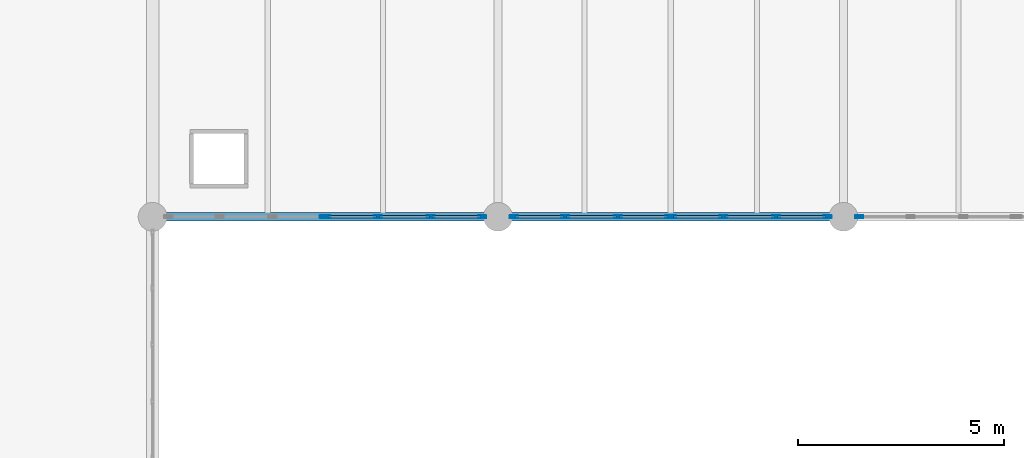
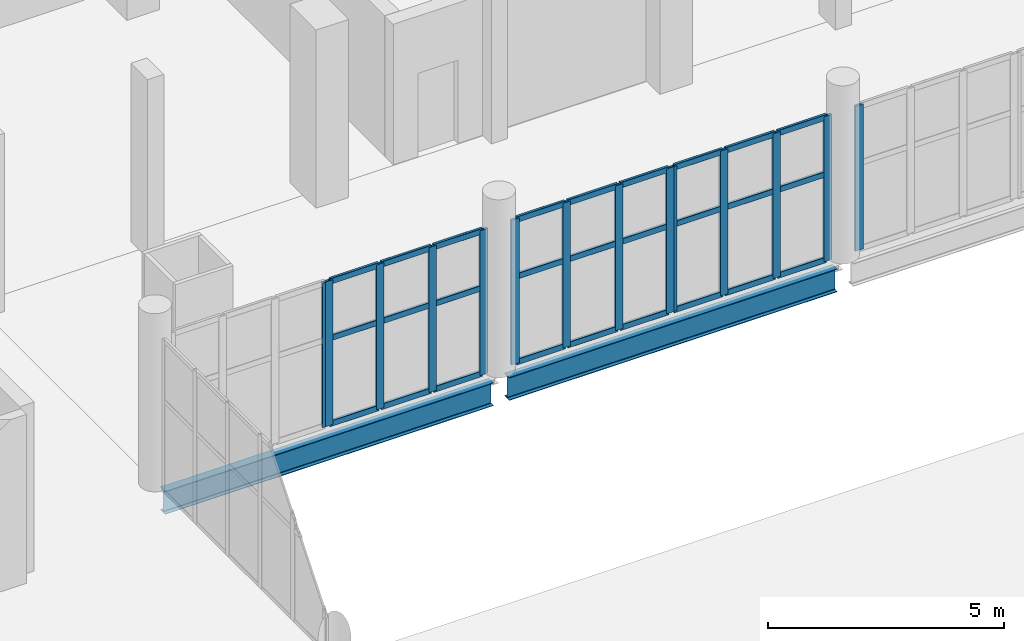
# One storey, part 44 of 136: 41 members, 2 beams, 5 elements without a shape of their own.
"""IFC4 building model written with IfcOpenShell, lengths in metres."""

from ifc_helpers import new_model, si_unit, direction, frame, origin, origin_2d, place, context, subcontext, project, spatial, hollow_rectangle, i_section, extrude, material, material_profile, profile_set, type_object, element, aggregate, save


model = new_model("IFC4")

# Units and contexts
model_context = context("Model", 3, precision=1e-05, world=origin(), true_north=direction((0.0, 1.0)))
body_context = subcontext(model_context, "Body", "Model", "MODEL_VIEW")
ifc_project = project(units=[si_unit("LENGTHUNIT", "METRE"), si_unit("AREAUNIT", "SQUARE_METRE"), si_unit("VOLUMEUNIT", "CUBIC_METRE"), si_unit("PLANEANGLEUNIT", "RADIAN"), si_unit("MASSUNIT", "GRAM", prefix="KILO")], contexts=[model_context])

# Site, building, storey
site_placement = place(None, origin())
site = spatial("IfcSite", under=ifc_project, at=site_placement, CompositionType="ELEMENT")
building_placement = place(site_placement, origin())
building = spatial("IfcBuilding", under=site, at=building_placement, Name="Shengluoqiao Park Theatre", CompositionType="ELEMENT")
storey_placement = place(building_placement, frame((0.0, 0.0, 10.0)))
storey = spatial("IfcBuildingStorey", under=building, at=storey_placement, Name="L02", CompositionType="ELEMENT", Elevation=10.0)

# Curtain wall, member
ifc_material_1 = material(Name="Aluminium 6063-T6", Category="aluminium")
curtain_wall_type = type_object("IfcCurtainWallType", Name="ENV-CW-PROM", PredefinedType="NOTDEFINED", material=ifc_material_1)
curtain_wall_1_placement = place(storey_placement, origin())
curtain_wall_1 = element("IfcCurtainWall", 1, at=curtain_wall_1_placement, inside=storey, type_object=curtain_wall_type, Name="L02 Curtain Wall CW-L02-0066", PredefinedType="NOTDEFINED")
ifc_material_profile_1 = material_profile(ifc_material_1, hollow_rectangle(XDim=0.06494140625, YDim=0.199951171875, WallThickness=0.0048828125, InnerFilletRadius=0.0048828125, OuterFilletRadius=0.010009765625, at=origin_2d()), Name="ALU MULLION 200x65x5")
ifc_profile_set_1 = profile_set([ifc_material_profile_1], Name="Aluminium 6063-T6")
member_type_1 = type_object("IfcMemberType", Name="ENV-MUL-200", PredefinedType="MULLION", material=ifc_profile_set_1)
member_1_placement = place(storey_placement, frame((48.5673828125, 68.39990234375, 0.0), z_axis=(0.0, 0.0, 1.0), x_axis=(0.0, 1.0, 0.0)))
member_1 = element("IfcMember", 2, at=member_1_placement, type_object=member_type_1, Name="CW-04 mullion 4", PredefinedType="MULLION", context=body_context, shape_type="SweptSolid", body=[
    extrude(hollow_rectangle(XDim=0.06494140625, YDim=0.199951171875, WallThickness=0.0048828125, InnerFilletRadius=0.0048828125, OuterFilletRadius=0.010009765625, at=origin_2d()), origin(), (0.0, 0.0, 1.0), 3.741943359375),
])
aggregate(curtain_wall_1, [member_1])

# Curtain wall, members
curtain_wall_2_placement = place(storey_placement, origin())
curtain_wall_2 = element("IfcCurtainWall", 3, at=curtain_wall_2_placement, inside=storey, type_object=curtain_wall_type, Name="L02 Curtain Wall CW-L02-0067", PredefinedType="NOTDEFINED")
member_2_placement = place(storey_placement, frame((48.632568359375, 68.39990234375, 0.0), z_axis=(0.0, 0.0, 1.0), x_axis=(0.0, 1.0, 0.0)))
member_2 = element("IfcMember", 4, at=member_2_placement, type_object=member_type_1, Name="CW-04 mullion 1", PredefinedType="MULLION", context=body_context, shape_type="SweptSolid", body=[
    extrude(hollow_rectangle(XDim=0.06494140625, YDim=0.199951171875, WallThickness=0.0048828125, InnerFilletRadius=0.0048828125, OuterFilletRadius=0.010009765625, at=origin_2d()), origin(), (0.0, 0.0, 1.0), 3.741943359375),
])
member_3_placement = place(storey_placement, frame((49.882080078125, 68.39990234375, 0.0), z_axis=(0.0, 0.0, 1.0), x_axis=(0.0, 1.0, 0.0)))
member_3 = element("IfcMember", 5, at=member_3_placement, type_object=member_type_1, Name="CW-04 mullion 2", PredefinedType="MULLION", context=body_context, shape_type="SweptSolid", body=[
    extrude(hollow_rectangle(XDim=0.06494140625, YDim=0.199951171875, WallThickness=0.0048828125, InnerFilletRadius=0.0048828125, OuterFilletRadius=0.010009765625, at=origin_2d()), origin(), (0.0, 0.0, 1.0), 3.741943359375),
])
member_4_placement = place(storey_placement, frame((51.1640625, 68.39990234375, 0.0), z_axis=(0.0, 0.0, 1.0), x_axis=(0.0, 1.0, 0.0)))
member_4 = element("IfcMember", 6, at=member_4_placement, type_object=member_type_1, Name="CW-04 mullion 3", PredefinedType="MULLION", context=body_context, shape_type="SweptSolid", body=[
    extrude(hollow_rectangle(XDim=0.06494140625, YDim=0.199951171875, WallThickness=0.0048828125, InnerFilletRadius=0.0048828125, OuterFilletRadius=0.010009765625, at=origin_2d()), origin(), (0.0, 0.0, 1.0), 3.741943359375),
])
member_5_placement = place(storey_placement, frame((52.41357421875, 68.39990234375, 0.0), z_axis=(0.0, 0.0, 1.0), x_axis=(0.0, 1.0, 0.0)))
member_5 = element("IfcMember", 7, at=member_5_placement, type_object=member_type_1, Name="CW-04 mullion 4", PredefinedType="MULLION", context=body_context, shape_type="SweptSolid", body=[
    extrude(hollow_rectangle(XDim=0.06494140625, YDim=0.199951171875, WallThickness=0.0048828125, InnerFilletRadius=0.0048828125, OuterFilletRadius=0.010009765625, at=origin_2d()), origin(), (0.0, 0.0, 1.0), 3.741943359375),
])

curtain_wall_3_placement = place(storey_placement, origin())
curtain_wall_3 = element("IfcCurtainWall", 8, at=curtain_wall_3_placement, inside=storey, type_object=curtain_wall_type, Name="L02 Curtain Wall CW-L02-0068", PredefinedType="NOTDEFINED")
member_6_placement = place(storey_placement, frame((53.1865234375, 68.39990234375, 0.0), z_axis=(0.0, 0.0, 1.0), x_axis=(0.0, 1.0, 0.0)))
member_6 = element("IfcMember", 9, at=member_6_placement, type_object=member_type_1, Name="CW-04 mullion 1", PredefinedType="MULLION", context=body_context, shape_type="SweptSolid", body=[
    extrude(hollow_rectangle(XDim=0.06494140625, YDim=0.199951171875, WallThickness=0.0048828125, InnerFilletRadius=0.0048828125, OuterFilletRadius=0.010009765625, at=origin_2d()), origin(), (0.0, 0.0, 1.0), 3.741943359375),
])
member_7_placement = place(storey_placement, frame((54.43603515625, 68.39990234375, 0.0), z_axis=(0.0, 0.0, 1.0), x_axis=(0.0, 1.0, 0.0)))
member_7 = element("IfcMember", 10, at=member_7_placement, type_object=member_type_1, Name="CW-04 mullion 2", PredefinedType="MULLION", context=body_context, shape_type="SweptSolid", body=[
    extrude(hollow_rectangle(XDim=0.06494140625, YDim=0.199951171875, WallThickness=0.0048828125, InnerFilletRadius=0.0048828125, OuterFilletRadius=0.010009765625, at=origin_2d()), origin(), (0.0, 0.0, 1.0), 3.741943359375),
])
member_8_placement = place(storey_placement, frame((55.718017578125, 68.39990234375, 0.0), z_axis=(0.0, 0.0, 1.0), x_axis=(0.0, 1.0, 0.0)))
member_8 = element("IfcMember", 11, at=member_8_placement, type_object=member_type_1, Name="CW-04 mullion 3", PredefinedType="MULLION", context=body_context, shape_type="SweptSolid", body=[
    extrude(hollow_rectangle(XDim=0.06494140625, YDim=0.199951171875, WallThickness=0.0048828125, InnerFilletRadius=0.0048828125, OuterFilletRadius=0.010009765625, at=origin_2d()), origin(), (0.0, 0.0, 1.0), 3.741943359375),
])
member_9_placement = place(storey_placement, frame((56.967529296875, 68.39990234375, 0.0), z_axis=(0.0, 0.0, 1.0), x_axis=(0.0, 1.0, 0.0)))
member_9 = element("IfcMember", 12, at=member_9_placement, type_object=member_type_1, Name="CW-04 mullion 4", PredefinedType="MULLION", context=body_context, shape_type="SweptSolid", body=[
    extrude(hollow_rectangle(XDim=0.06494140625, YDim=0.199951171875, WallThickness=0.0048828125, InnerFilletRadius=0.0048828125, OuterFilletRadius=0.010009765625, at=origin_2d()), origin(), (0.0, 0.0, 1.0), 3.741943359375),
])

curtain_wall_4_placement = place(storey_placement, origin())
curtain_wall_4 = element("IfcCurtainWall", 13, at=curtain_wall_4_placement, inside=storey, type_object=curtain_wall_type, Name="L02 Curtain Wall CW-L02-0069", PredefinedType="NOTDEFINED")
member_10_placement = place(storey_placement, frame((57.032470703125, 68.39990234375, 0.0), z_axis=(0.0, 0.0, 1.0), x_axis=(0.0, 1.0, 0.0)))
member_10 = element("IfcMember", 14, at=member_10_placement, type_object=member_type_1, Name="CW-04 mullion 1", PredefinedType="MULLION", context=body_context, shape_type="SweptSolid", body=[
    extrude(hollow_rectangle(XDim=0.06494140625, YDim=0.199951171875, WallThickness=0.0048828125, InnerFilletRadius=0.0048828125, OuterFilletRadius=0.010009765625, at=origin_2d()), origin(), (0.0, 0.0, 1.0), 3.741943359375),
])
member_11_placement = place(storey_placement, frame((58.281982421875, 68.39990234375, 0.0), z_axis=(0.0, 0.0, 1.0), x_axis=(0.0, 1.0, 0.0)))
member_11 = element("IfcMember", 15, at=member_11_placement, type_object=member_type_1, Name="CW-04 mullion 2", PredefinedType="MULLION", context=body_context, shape_type="SweptSolid", body=[
    extrude(hollow_rectangle(XDim=0.06494140625, YDim=0.199951171875, WallThickness=0.0048828125, InnerFilletRadius=0.0048828125, OuterFilletRadius=0.010009765625, at=origin_2d()), origin(), (0.0, 0.0, 1.0), 3.741943359375),
])
member_12_placement = place(storey_placement, frame((59.56396484375, 68.39990234375, 0.0), z_axis=(0.0, 0.0, 1.0), x_axis=(0.0, 1.0, 0.0)))
member_12 = element("IfcMember", 16, at=member_12_placement, type_object=member_type_1, Name="CW-04 mullion 3", PredefinedType="MULLION", context=body_context, shape_type="SweptSolid", body=[
    extrude(hollow_rectangle(XDim=0.06494140625, YDim=0.199951171875, WallThickness=0.0048828125, InnerFilletRadius=0.0048828125, OuterFilletRadius=0.010009765625, at=origin_2d()), origin(), (0.0, 0.0, 1.0), 3.741943359375),
])
member_13_placement = place(storey_placement, frame((60.8134765625, 68.39990234375, 0.0), z_axis=(0.0, 0.0, 1.0), x_axis=(0.0, 1.0, 0.0)))
member_13 = element("IfcMember", 17, at=member_13_placement, type_object=member_type_1, Name="CW-04 mullion 4", PredefinedType="MULLION", context=body_context, shape_type="SweptSolid", body=[
    extrude(hollow_rectangle(XDim=0.06494140625, YDim=0.199951171875, WallThickness=0.0048828125, InnerFilletRadius=0.0048828125, OuterFilletRadius=0.010009765625, at=origin_2d()), origin(), (0.0, 0.0, 1.0), 3.741943359375),
])

# Curtain wall, member
curtain_wall_5_placement = place(storey_placement, origin())
curtain_wall_5 = element("IfcCurtainWall", 18, at=curtain_wall_5_placement, inside=storey, type_object=curtain_wall_type, Name="L02 Curtain Wall CW-L02-0070", PredefinedType="NOTDEFINED")
member_14_placement = place(storey_placement, frame((61.58642578125, 68.39990234375, 0.0), z_axis=(0.0, 0.0, 1.0), x_axis=(0.0, 1.0, 0.0)))
member_14 = element("IfcMember", 19, at=member_14_placement, type_object=member_type_1, Name="CW-04 mullion 1", PredefinedType="MULLION", context=body_context, shape_type="SweptSolid", body=[
    extrude(hollow_rectangle(XDim=0.06494140625, YDim=0.199951171875, WallThickness=0.0048828125, InnerFilletRadius=0.0048828125, OuterFilletRadius=0.010009765625, at=origin_2d()), origin(), (0.0, 0.0, 1.0), 3.741943359375),
])
aggregate(curtain_wall_5, [member_14])

# Member
ifc_material_profile_2 = material_profile(ifc_material_1, hollow_rectangle(XDim=0.06494140625, YDim=0.14990234375, WallThickness=0.00390625, InnerFilletRadius=0.00390625, OuterFilletRadius=0.008056640625, at=origin_2d()), Name="ALU TRANSOM 150x65x4")
ifc_profile_set_2 = profile_set([ifc_material_profile_2], Name="Aluminium 6063-T6")
member_type_2 = type_object("IfcMemberType", Name="ENV-TRN-150", PredefinedType="USERDEFINED", material=ifc_profile_set_2)
member_15_placement = place(storey_placement, frame((48.6650390625, 68.39990234375, 0.032470703125), z_axis=(1.0, 0.0, 0.0), x_axis=(0.0, 1.0, 0.0)))
member_15 = element("IfcMember", 20, at=member_15_placement, type_object=member_type_2, Name="CW-04 transom 1.1", ObjectType="TRANSOM", PredefinedType="USERDEFINED", context=body_context, shape_type="SweptSolid", body=[
    extrude(hollow_rectangle(XDim=0.06494140625, YDim=0.14990234375, WallThickness=0.00390625, InnerFilletRadius=0.00390625, OuterFilletRadius=0.008056640625, at=origin_2d()), origin(), (0.0, 0.0, 1.0), 1.1845703125),
])

member_16_placement = place(storey_placement, frame((48.6650390625, 68.39990234375, 2.2451171875), z_axis=(1.0, 0.0, 0.0), x_axis=(0.0, 1.0, 0.0)))
member_16 = element("IfcMember", 21, at=member_16_placement, type_object=member_type_2, Name="CW-04 transom 1.2", ObjectType="TRANSOM", PredefinedType="USERDEFINED", context=body_context, shape_type="SweptSolid", body=[
    extrude(hollow_rectangle(XDim=0.06494140625, YDim=0.14990234375, WallThickness=0.00390625, InnerFilletRadius=0.00390625, OuterFilletRadius=0.008056640625, at=origin_2d()), origin(), (0.0, 0.0, 1.0), 1.1845703125),
])

member_17_placement = place(storey_placement, frame((48.6650390625, 68.39990234375, 3.70947265625), z_axis=(1.0, 0.0, 0.0), x_axis=(0.0, 1.0, 0.0)))
member_17 = element("IfcMember", 22, at=member_17_placement, type_object=member_type_2, Name="CW-04 transom 1.3", ObjectType="TRANSOM", PredefinedType="USERDEFINED", context=body_context, shape_type="SweptSolid", body=[
    extrude(hollow_rectangle(XDim=0.06494140625, YDim=0.14990234375, WallThickness=0.00390625, InnerFilletRadius=0.00390625, OuterFilletRadius=0.008056640625, at=origin_2d()), origin(), (0.0, 0.0, 1.0), 1.1845703125),
])

member_18_placement = place(storey_placement, frame((49.91455078125, 68.39990234375, 0.032470703125), z_axis=(1.0, 0.0, 0.0), x_axis=(0.0, 1.0, 0.0)))
member_18 = element("IfcMember", 23, at=member_18_placement, type_object=member_type_2, Name="CW-04 transom 2.1", ObjectType="TRANSOM", PredefinedType="USERDEFINED", context=body_context, shape_type="SweptSolid", body=[
    extrude(hollow_rectangle(XDim=0.06494140625, YDim=0.14990234375, WallThickness=0.00390625, InnerFilletRadius=0.00390625, OuterFilletRadius=0.008056640625, at=origin_2d()), origin(), (0.0, 0.0, 1.0), 1.217041015625),
])

member_19_placement = place(storey_placement, frame((49.91455078125, 68.39990234375, 2.2451171875), z_axis=(1.0, 0.0, 0.0), x_axis=(0.0, 1.0, 0.0)))
member_19 = element("IfcMember", 24, at=member_19_placement, type_object=member_type_2, Name="CW-04 transom 2.2", ObjectType="TRANSOM", PredefinedType="USERDEFINED", context=body_context, shape_type="SweptSolid", body=[
    extrude(hollow_rectangle(XDim=0.06494140625, YDim=0.14990234375, WallThickness=0.00390625, InnerFilletRadius=0.00390625, OuterFilletRadius=0.008056640625, at=origin_2d()), origin(), (0.0, 0.0, 1.0), 1.217041015625),
])

member_20_placement = place(storey_placement, frame((49.91455078125, 68.39990234375, 3.70947265625), z_axis=(1.0, 0.0, 0.0), x_axis=(0.0, 1.0, 0.0)))
member_20 = element("IfcMember", 25, at=member_20_placement, type_object=member_type_2, Name="CW-04 transom 2.3", ObjectType="TRANSOM", PredefinedType="USERDEFINED", context=body_context, shape_type="SweptSolid", body=[
    extrude(hollow_rectangle(XDim=0.06494140625, YDim=0.14990234375, WallThickness=0.00390625, InnerFilletRadius=0.00390625, OuterFilletRadius=0.008056640625, at=origin_2d()), origin(), (0.0, 0.0, 1.0), 1.217041015625),
])

member_21_placement = place(storey_placement, frame((51.196533203125, 68.39990234375, 0.032470703125), z_axis=(1.0, 0.0, 0.0), x_axis=(0.0, 1.0, 0.0)))
member_21 = element("IfcMember", 26, at=member_21_placement, type_object=member_type_2, Name="CW-04 transom 3.1", ObjectType="TRANSOM", PredefinedType="USERDEFINED", context=body_context, shape_type="SweptSolid", body=[
    extrude(hollow_rectangle(XDim=0.06494140625, YDim=0.14990234375, WallThickness=0.00390625, InnerFilletRadius=0.00390625, OuterFilletRadius=0.008056640625, at=origin_2d()), origin(), (0.0, 0.0, 1.0), 1.1845703125),
])

member_22_placement = place(storey_placement, frame((51.196533203125, 68.39990234375, 2.2451171875), z_axis=(1.0, 0.0, 0.0), x_axis=(0.0, 1.0, 0.0)))
member_22 = element("IfcMember", 27, at=member_22_placement, type_object=member_type_2, Name="CW-04 transom 3.2", ObjectType="TRANSOM", PredefinedType="USERDEFINED", context=body_context, shape_type="SweptSolid", body=[
    extrude(hollow_rectangle(XDim=0.06494140625, YDim=0.14990234375, WallThickness=0.00390625, InnerFilletRadius=0.00390625, OuterFilletRadius=0.008056640625, at=origin_2d()), origin(), (0.0, 0.0, 1.0), 1.1845703125),
])

member_23_placement = place(storey_placement, frame((51.196533203125, 68.39990234375, 3.70947265625), z_axis=(1.0, 0.0, 0.0), x_axis=(0.0, 1.0, 0.0)))
member_23 = element("IfcMember", 28, at=member_23_placement, type_object=member_type_2, Name="CW-04 transom 3.3", ObjectType="TRANSOM", PredefinedType="USERDEFINED", context=body_context, shape_type="SweptSolid", body=[
    extrude(hollow_rectangle(XDim=0.06494140625, YDim=0.14990234375, WallThickness=0.00390625, InnerFilletRadius=0.00390625, OuterFilletRadius=0.008056640625, at=origin_2d()), origin(), (0.0, 0.0, 1.0), 1.1845703125),
])

aggregate(curtain_wall_2, [member_2, member_3, member_4, member_5, member_15, member_16, member_17, member_18, member_19, member_20, member_21, member_22, member_23])

member_24_placement = place(storey_placement, frame((53.218994140625, 68.39990234375, 0.032470703125), z_axis=(1.0, 0.0, 0.0), x_axis=(0.0, 1.0, 0.0)))
member_24 = element("IfcMember", 29, at=member_24_placement, type_object=member_type_2, Name="CW-04 transom 1.1", ObjectType="TRANSOM", PredefinedType="USERDEFINED", context=body_context, shape_type="SweptSolid", body=[
    extrude(hollow_rectangle(XDim=0.06494140625, YDim=0.14990234375, WallThickness=0.00390625, InnerFilletRadius=0.00390625, OuterFilletRadius=0.008056640625, at=origin_2d()), origin(), (0.0, 0.0, 1.0), 1.1845703125),
])

member_25_placement = place(storey_placement, frame((53.218994140625, 68.39990234375, 2.2451171875), z_axis=(1.0, 0.0, 0.0), x_axis=(0.0, 1.0, 0.0)))
member_25 = element("IfcMember", 30, at=member_25_placement, type_object=member_type_2, Name="CW-04 transom 1.2", ObjectType="TRANSOM", PredefinedType="USERDEFINED", context=body_context, shape_type="SweptSolid", body=[
    extrude(hollow_rectangle(XDim=0.06494140625, YDim=0.14990234375, WallThickness=0.00390625, InnerFilletRadius=0.00390625, OuterFilletRadius=0.008056640625, at=origin_2d()), origin(), (0.0, 0.0, 1.0), 1.1845703125),
])

member_26_placement = place(storey_placement, frame((53.218994140625, 68.39990234375, 3.70947265625), z_axis=(1.0, 0.0, 0.0), x_axis=(0.0, 1.0, 0.0)))
member_26 = element("IfcMember", 31, at=member_26_placement, type_object=member_type_2, Name="CW-04 transom 1.3", ObjectType="TRANSOM", PredefinedType="USERDEFINED", context=body_context, shape_type="SweptSolid", body=[
    extrude(hollow_rectangle(XDim=0.06494140625, YDim=0.14990234375, WallThickness=0.00390625, InnerFilletRadius=0.00390625, OuterFilletRadius=0.008056640625, at=origin_2d()), origin(), (0.0, 0.0, 1.0), 1.1845703125),
])

member_27_placement = place(storey_placement, frame((54.468505859375, 68.39990234375, 0.032470703125), z_axis=(1.0, 0.0, 0.0), x_axis=(0.0, 1.0, 0.0)))
member_27 = element("IfcMember", 32, at=member_27_placement, type_object=member_type_2, Name="CW-04 transom 2.1", ObjectType="TRANSOM", PredefinedType="USERDEFINED", context=body_context, shape_type="SweptSolid", body=[
    extrude(hollow_rectangle(XDim=0.06494140625, YDim=0.14990234375, WallThickness=0.00390625, InnerFilletRadius=0.00390625, OuterFilletRadius=0.008056640625, at=origin_2d()), origin(), (0.0, 0.0, 1.0), 1.217041015625),
])

member_28_placement = place(storey_placement, frame((54.468505859375, 68.39990234375, 2.2451171875), z_axis=(1.0, 0.0, 0.0), x_axis=(0.0, 1.0, 0.0)))
member_28 = element("IfcMember", 33, at=member_28_placement, type_object=member_type_2, Name="CW-04 transom 2.2", ObjectType="TRANSOM", PredefinedType="USERDEFINED", context=body_context, shape_type="SweptSolid", body=[
    extrude(hollow_rectangle(XDim=0.06494140625, YDim=0.14990234375, WallThickness=0.00390625, InnerFilletRadius=0.00390625, OuterFilletRadius=0.008056640625, at=origin_2d()), origin(), (0.0, 0.0, 1.0), 1.217041015625),
])

member_29_placement = place(storey_placement, frame((54.468505859375, 68.39990234375, 3.70947265625), z_axis=(1.0, 0.0, 0.0), x_axis=(0.0, 1.0, 0.0)))
member_29 = element("IfcMember", 34, at=member_29_placement, type_object=member_type_2, Name="CW-04 transom 2.3", ObjectType="TRANSOM", PredefinedType="USERDEFINED", context=body_context, shape_type="SweptSolid", body=[
    extrude(hollow_rectangle(XDim=0.06494140625, YDim=0.14990234375, WallThickness=0.00390625, InnerFilletRadius=0.00390625, OuterFilletRadius=0.008056640625, at=origin_2d()), origin(), (0.0, 0.0, 1.0), 1.217041015625),
])

member_30_placement = place(storey_placement, frame((55.75048828125, 68.39990234375, 0.032470703125), z_axis=(1.0, 0.0, 0.0), x_axis=(0.0, 1.0, 0.0)))
member_30 = element("IfcMember", 35, at=member_30_placement, type_object=member_type_2, Name="CW-04 transom 3.1", ObjectType="TRANSOM", PredefinedType="USERDEFINED", context=body_context, shape_type="SweptSolid", body=[
    extrude(hollow_rectangle(XDim=0.06494140625, YDim=0.14990234375, WallThickness=0.00390625, InnerFilletRadius=0.00390625, OuterFilletRadius=0.008056640625, at=origin_2d()), origin(), (0.0, 0.0, 1.0), 1.1845703125),
])

member_31_placement = place(storey_placement, frame((55.75048828125, 68.39990234375, 2.2451171875), z_axis=(1.0, 0.0, 0.0), x_axis=(0.0, 1.0, 0.0)))
member_31 = element("IfcMember", 36, at=member_31_placement, type_object=member_type_2, Name="CW-04 transom 3.2", ObjectType="TRANSOM", PredefinedType="USERDEFINED", context=body_context, shape_type="SweptSolid", body=[
    extrude(hollow_rectangle(XDim=0.06494140625, YDim=0.14990234375, WallThickness=0.00390625, InnerFilletRadius=0.00390625, OuterFilletRadius=0.008056640625, at=origin_2d()), origin(), (0.0, 0.0, 1.0), 1.1845703125),
])

member_32_placement = place(storey_placement, frame((55.75048828125, 68.39990234375, 3.70947265625), z_axis=(1.0, 0.0, 0.0), x_axis=(0.0, 1.0, 0.0)))
member_32 = element("IfcMember", 37, at=member_32_placement, type_object=member_type_2, Name="CW-04 transom 3.3", ObjectType="TRANSOM", PredefinedType="USERDEFINED", context=body_context, shape_type="SweptSolid", body=[
    extrude(hollow_rectangle(XDim=0.06494140625, YDim=0.14990234375, WallThickness=0.00390625, InnerFilletRadius=0.00390625, OuterFilletRadius=0.008056640625, at=origin_2d()), origin(), (0.0, 0.0, 1.0), 1.1845703125),
])

aggregate(curtain_wall_3, [member_6, member_7, member_8, member_9, member_24, member_25, member_26, member_27, member_28, member_29, member_30, member_31, member_32])

member_33_placement = place(storey_placement, frame((57.06494140625, 68.39990234375, 0.032470703125), z_axis=(1.0, 0.0, 0.0), x_axis=(0.0, 1.0, 0.0)))
member_33 = element("IfcMember", 38, at=member_33_placement, type_object=member_type_2, Name="CW-04 transom 1.1", ObjectType="TRANSOM", PredefinedType="USERDEFINED", context=body_context, shape_type="SweptSolid", body=[
    extrude(hollow_rectangle(XDim=0.06494140625, YDim=0.14990234375, WallThickness=0.00390625, InnerFilletRadius=0.00390625, OuterFilletRadius=0.008056640625, at=origin_2d()), origin(), (0.0, 0.0, 1.0), 1.1845703125),
])

member_34_placement = place(storey_placement, frame((57.06494140625, 68.39990234375, 2.2451171875), z_axis=(1.0, 0.0, 0.0), x_axis=(0.0, 1.0, 0.0)))
member_34 = element("IfcMember", 39, at=member_34_placement, type_object=member_type_2, Name="CW-04 transom 1.2", ObjectType="TRANSOM", PredefinedType="USERDEFINED", context=body_context, shape_type="SweptSolid", body=[
    extrude(hollow_rectangle(XDim=0.06494140625, YDim=0.14990234375, WallThickness=0.00390625, InnerFilletRadius=0.00390625, OuterFilletRadius=0.008056640625, at=origin_2d()), origin(), (0.0, 0.0, 1.0), 1.1845703125),
])

member_35_placement = place(storey_placement, frame((57.06494140625, 68.39990234375, 3.70947265625), z_axis=(1.0, 0.0, 0.0), x_axis=(0.0, 1.0, 0.0)))
member_35 = element("IfcMember", 40, at=member_35_placement, type_object=member_type_2, Name="CW-04 transom 1.3", ObjectType="TRANSOM", PredefinedType="USERDEFINED", context=body_context, shape_type="SweptSolid", body=[
    extrude(hollow_rectangle(XDim=0.06494140625, YDim=0.14990234375, WallThickness=0.00390625, InnerFilletRadius=0.00390625, OuterFilletRadius=0.008056640625, at=origin_2d()), origin(), (0.0, 0.0, 1.0), 1.1845703125),
])

member_36_placement = place(storey_placement, frame((58.314453125, 68.39990234375, 0.032470703125), z_axis=(1.0, 0.0, 0.0), x_axis=(0.0, 1.0, 0.0)))
member_36 = element("IfcMember", 41, at=member_36_placement, type_object=member_type_2, Name="CW-04 transom 2.1", ObjectType="TRANSOM", PredefinedType="USERDEFINED", context=body_context, shape_type="SweptSolid", body=[
    extrude(hollow_rectangle(XDim=0.06494140625, YDim=0.14990234375, WallThickness=0.00390625, InnerFilletRadius=0.00390625, OuterFilletRadius=0.008056640625, at=origin_2d()), origin(), (0.0, 0.0, 1.0), 1.217041015625),
])

member_37_placement = place(storey_placement, frame((58.314453125, 68.39990234375, 2.2451171875), z_axis=(1.0, 0.0, 0.0), x_axis=(0.0, 1.0, 0.0)))
member_37 = element("IfcMember", 42, at=member_37_placement, type_object=member_type_2, Name="CW-04 transom 2.2", ObjectType="TRANSOM", PredefinedType="USERDEFINED", context=body_context, shape_type="SweptSolid", body=[
    extrude(hollow_rectangle(XDim=0.06494140625, YDim=0.14990234375, WallThickness=0.00390625, InnerFilletRadius=0.00390625, OuterFilletRadius=0.008056640625, at=origin_2d()), origin(), (0.0, 0.0, 1.0), 1.217041015625),
])

member_38_placement = place(storey_placement, frame((58.314453125, 68.39990234375, 3.70947265625), z_axis=(1.0, 0.0, 0.0), x_axis=(0.0, 1.0, 0.0)))
member_38 = element("IfcMember", 43, at=member_38_placement, type_object=member_type_2, Name="CW-04 transom 2.3", ObjectType="TRANSOM", PredefinedType="USERDEFINED", context=body_context, shape_type="SweptSolid", body=[
    extrude(hollow_rectangle(XDim=0.06494140625, YDim=0.14990234375, WallThickness=0.00390625, InnerFilletRadius=0.00390625, OuterFilletRadius=0.008056640625, at=origin_2d()), origin(), (0.0, 0.0, 1.0), 1.217041015625),
])

member_39_placement = place(storey_placement, frame((59.596435546875, 68.39990234375, 0.032470703125), z_axis=(1.0, 0.0, 0.0), x_axis=(0.0, 1.0, 0.0)))
member_39 = element("IfcMember", 44, at=member_39_placement, type_object=member_type_2, Name="CW-04 transom 3.1", ObjectType="TRANSOM", PredefinedType="USERDEFINED", context=body_context, shape_type="SweptSolid", body=[
    extrude(hollow_rectangle(XDim=0.06494140625, YDim=0.14990234375, WallThickness=0.00390625, InnerFilletRadius=0.00390625, OuterFilletRadius=0.008056640625, at=origin_2d()), origin(), (0.0, 0.0, 1.0), 1.1845703125),
])

member_40_placement = place(storey_placement, frame((59.596435546875, 68.39990234375, 2.2451171875), z_axis=(1.0, 0.0, 0.0), x_axis=(0.0, 1.0, 0.0)))
member_40 = element("IfcMember", 45, at=member_40_placement, type_object=member_type_2, Name="CW-04 transom 3.2", ObjectType="TRANSOM", PredefinedType="USERDEFINED", context=body_context, shape_type="SweptSolid", body=[
    extrude(hollow_rectangle(XDim=0.06494140625, YDim=0.14990234375, WallThickness=0.00390625, InnerFilletRadius=0.00390625, OuterFilletRadius=0.008056640625, at=origin_2d()), origin(), (0.0, 0.0, 1.0), 1.1845703125),
])

member_41_placement = place(storey_placement, frame((59.596435546875, 68.39990234375, 3.70947265625), z_axis=(1.0, 0.0, 0.0), x_axis=(0.0, 1.0, 0.0)))
member_41 = element("IfcMember", 46, at=member_41_placement, type_object=member_type_2, Name="CW-04 transom 3.3", ObjectType="TRANSOM", PredefinedType="USERDEFINED", context=body_context, shape_type="SweptSolid", body=[
    extrude(hollow_rectangle(XDim=0.06494140625, YDim=0.14990234375, WallThickness=0.00390625, InnerFilletRadius=0.00390625, OuterFilletRadius=0.008056640625, at=origin_2d()), origin(), (0.0, 0.0, 1.0), 1.1845703125),
])

aggregate(curtain_wall_4, [member_10, member_11, member_12, member_13, member_33, member_34, member_35, member_36, member_37, member_38, member_39, member_40, member_41])

# Beams
ifc_material_2 = material(Name="Steel Q355", Category="steel")
ifc_material_profile_3 = material_profile(ifc_material_2, i_section(OverallWidth=0.198974609375, OverallDepth=0.595947265625, WebThickness=0.010009765625, FlangeThickness=0.014892578125, FilletRadius=0.02001953125, at=origin_2d()), Name="HN 596x199x10x15")
ifc_profile_set_3 = profile_set([ifc_material_profile_3], Name="Steel Q355")
beam_type = type_object("IfcBeamType", Name="STR-BM-SP-HN596", PredefinedType="SPANDREL", material=ifc_profile_set_3)
beam_1_placement = place(storey_placement, frame((44.593994140625, 68.39990234375, -0.5380859375), z_axis=(1.0, 0.0, 0.0), x_axis=(0.0, 1.0, 0.0)))
element("IfcBeam", 47, at=beam_1_placement, inside=storey, type_object=beam_type, Name="L02 Primary Girder 00986", PredefinedType="SPANDREL", context=body_context, shape_type="SweptSolid", body=[
    extrude(i_section(OverallWidth=0.198974609375, OverallDepth=0.595947265625, WebThickness=0.010009765625, FlangeThickness=0.014892578125, FilletRadius=0.02001953125, at=origin_2d()), origin(), (0.0, 0.0, 1.0), 8.011962890625),
])
beam_2_placement = place(storey_placement, frame((52.993896484375, 68.39990234375, -0.5380859375), z_axis=(1.0, 0.0, 0.0), x_axis=(0.0, 1.0, 0.0)))
element("IfcBeam", 48, at=beam_2_placement, inside=storey, type_object=beam_type, Name="L02 Primary Girder 00987", PredefinedType="SPANDREL", context=body_context, shape_type="SweptSolid", body=[
    extrude(i_section(OverallWidth=0.198974609375, OverallDepth=0.595947265625, WebThickness=0.010009765625, FlangeThickness=0.014892578125, FilletRadius=0.02001953125, at=origin_2d()), origin(), (0.0, 0.0, 1.0), 8.01220703125),
])

save(model, "model.ifc")
